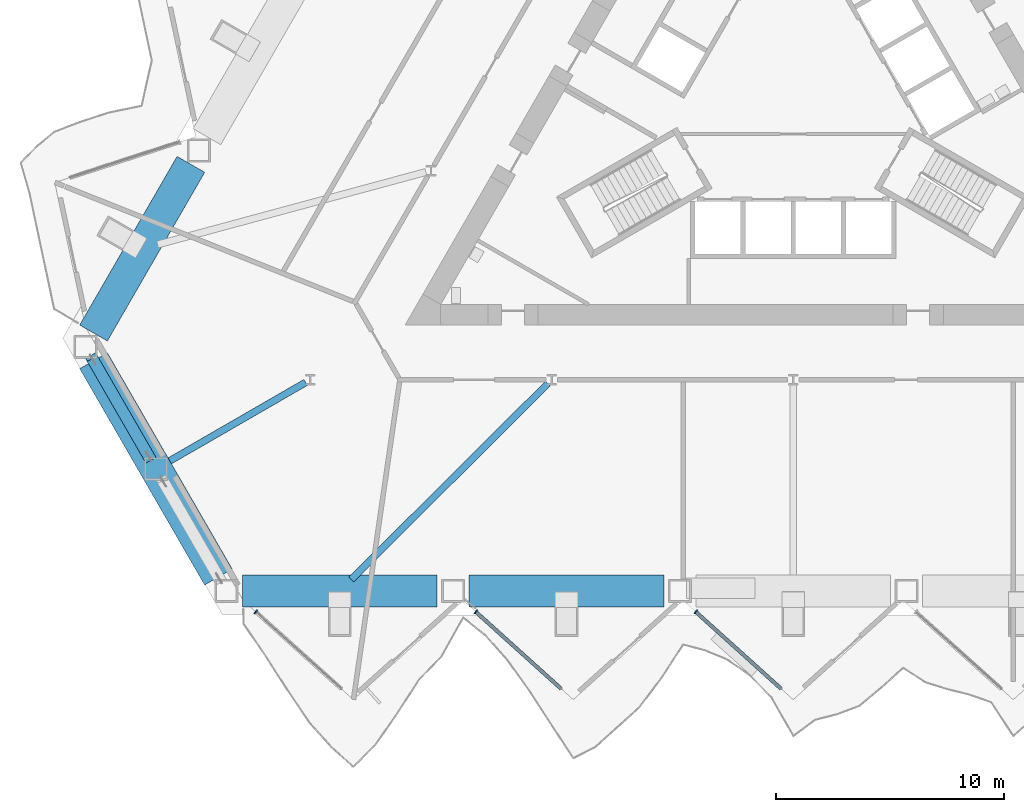
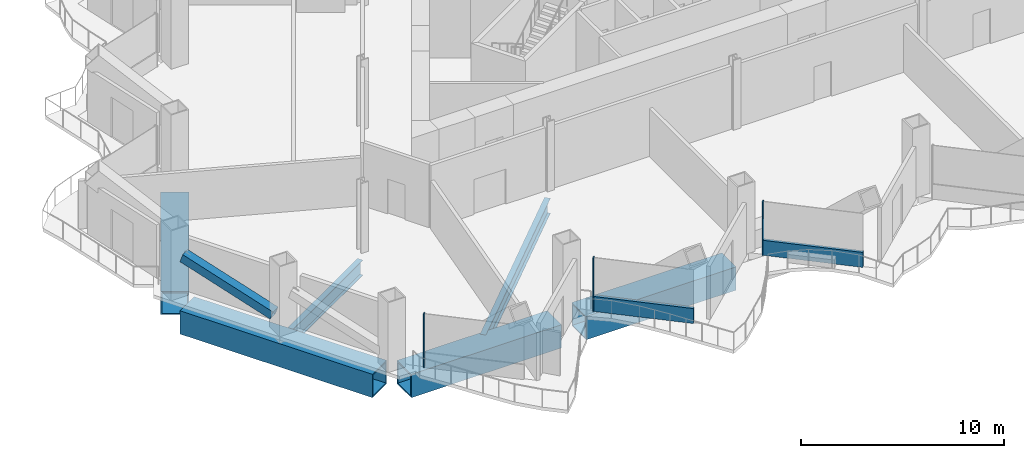
# One storey, part 2 of 22: 6 beams, 6 members, 3 elements without a shape of their own.
"""IFC4 building model written with IfcOpenShell, lengths in metres."""

from ifc_helpers import new_model, si_unit, direction, frame, origin, origin_2d, place, context, subcontext, project, spatial, rectangle, hollow_rectangle, i_section, extrude, material, layer, layer_set, material_profile, profile_set, type_object, element, aggregate, save


model = new_model("IFC4")

# Units and contexts
model_context = context("Model", 3, precision=1e-05, world=origin(), true_north=direction((0.0, 1.0)))
body_context = subcontext(model_context, "Body", "Model", "MODEL_VIEW")
ifc_project = project(units=[si_unit("LENGTHUNIT", "METRE"), si_unit("AREAUNIT", "SQUARE_METRE"), si_unit("VOLUMEUNIT", "CUBIC_METRE"), si_unit("PLANEANGLEUNIT", "RADIAN"), si_unit("MASSUNIT", "GRAM", prefix="KILO")], contexts=[model_context])

# Site, building, storey
site_placement = place(None, origin())
site = spatial("IfcSite", under=ifc_project, at=site_placement, CompositionType="ELEMENT")
building_placement = place(site_placement, origin())
building = spatial("IfcBuilding", under=site, at=building_placement, Name="Cormorant Prow Tower", CompositionType="ELEMENT")
storey_placement = place(building_placement, frame((0.0, 0.0, 30.0)))
storey = spatial("IfcBuildingStorey", under=building, at=storey_placement, Name="L05", CompositionType="ELEMENT", Elevation=30.0)

# Member
ifc_material_1 = material(Name="Structural steel ASTM A500 Gr C", Category="steel")
ifc_material_profile_1 = material_profile(ifc_material_1, hollow_rectangle(XDim=0.508056640625, YDim=0.508056640625, WallThickness=0.014892578125, at=origin_2d()), Name="HSS20x20x5/8")
ifc_profile_set_1 = profile_set([ifc_material_profile_1], Name="Structural steel ASTM A500 Gr C")
member_type_1 = type_object("IfcMemberType", Name="Chamfer brace HSS20x20x5/8", PredefinedType="BRACE", material=ifc_profile_set_1)
member_1_placement = place(storey_placement, frame((-28.174560546875, -15.667724609375, 0.767333984375), z_axis=(-0.475881936113, 0.824270433724, 0.306781086395), x_axis=(-0.866030326616, -0.499991473309, 0.0)))
element("IfcMember", 1, at=member_1_placement, inside=storey, type_object=member_type_1, Name="Chamfer brace BR1 at WSW00 L05", PredefinedType="BRACE", context=body_context, shape_type="SweptSolid", body=[
    extrude(hollow_rectangle(XDim=0.508056640625, YDim=0.508056640625, WallThickness=0.014892578125, at=origin_2d()), origin(), (0.0, 0.0, 1.0), 5.392333984375),
])

# Curtain wall, member
ifc_material_2 = material(Name="Aluminium 6063-T6", Category="aluminium")
ifc_layer = layer(ifc_material_2, 0.199951171875)
ifc_layer_set = layer_set([ifc_layer], Name="Aluminium 6063-T6")
curtain_wall_type = type_object("IfcCurtainWallType", Name="Office unitised curtain wall 200", PredefinedType="NOTDEFINED", material=ifc_layer_set)
curtain_wall_1_placement = place(storey_placement, origin())
curtain_wall_1 = element("IfcCurtainWall", 2, at=curtain_wall_1_placement, inside=storey, type_object=curtain_wall_type, Name="Office curtain wall S00", PredefinedType="NOTDEFINED")
ifc_material_3 = material(Name="Aluminium 6063-T6", Category="aluminium")
ifc_material_profile_2 = material_profile(ifc_material_3, rectangle(XDim=0.199951171875, YDim=0.06005859375, at=origin_2d()), Name="Office mullion 60x200")
ifc_profile_set_2 = profile_set([ifc_material_profile_2], Name="Aluminium 6063-T6")
member_type_2 = type_object("IfcMemberType", Name="Office mullion 60x200", PredefinedType="MULLION", material=ifc_profile_set_2)
member_2_placement = place(storey_placement, frame((-23.54296875, -22.379150390625, 0.0), z_axis=(0.0, 0.0, 1.0), x_axis=(0.669130597396, 0.743144833547, 0.0)))
member_2 = element("IfcMember", 3, at=member_2_placement, type_object=member_type_2, Name="Office mullion S00", PredefinedType="MULLION", context=body_context, shape_type="SweptSolid", body=[
    extrude(rectangle(XDim=0.199951171875, YDim=0.06005859375, at=origin_2d()), origin(), (0.0, 0.0, 1.0), 3.18896484375),
])
aggregate(curtain_wall_1, [member_2])

curtain_wall_2_placement = place(storey_placement, origin())
curtain_wall_2 = element("IfcCurtainWall", 4, at=curtain_wall_2_placement, inside=storey, type_object=curtain_wall_type, Name="Office curtain wall S02", PredefinedType="NOTDEFINED")
member_3_placement = place(storey_placement, frame((-13.907958984375, -22.379150390625, 0.0), z_axis=(0.0, 0.0, 1.0), x_axis=(0.66913052069, 0.743144902614, 0.0)))
member_3 = element("IfcMember", 5, at=member_3_placement, type_object=member_type_2, Name="Office mullion S02", PredefinedType="MULLION", context=body_context, shape_type="SweptSolid", body=[
    extrude(rectangle(XDim=0.199951171875, YDim=0.06005859375, at=origin_2d()), origin(), (0.0, 0.0, 1.0), 3.18896484375),
])

curtain_wall_3_placement = place(storey_placement, origin())
curtain_wall_3 = element("IfcCurtainWall", 6, at=curtain_wall_3_placement, inside=storey, type_object=curtain_wall_type, Name="Office curtain wall S04", PredefinedType="NOTDEFINED")
member_4_placement = place(storey_placement, frame((-4.27294921875, -22.379150390625, 0.0), z_axis=(0.0, 0.0, 1.0), x_axis=(0.669130597396, 0.743144833547, 0.0)))
member_4 = element("IfcMember", 7, at=member_4_placement, type_object=member_type_2, Name="Office mullion S04", PredefinedType="MULLION", context=body_context, shape_type="SweptSolid", body=[
    extrude(rectangle(XDim=0.199951171875, YDim=0.06005859375, at=origin_2d()), origin(), (0.0, 0.0, 1.0), 3.18896484375),
])

# Member
ifc_material_4 = material(Name="Terracotta", Category="masonry")
ifc_material_profile_3 = material_profile(ifc_material_4, rectangle(XDim=0.159912109375, YDim=0.89990234375, at=origin_2d()), Name="Office terracotta spandrel rail 160x900")
ifc_profile_set_3 = profile_set([ifc_material_profile_3], Name="Terracotta")
member_type_3 = type_object("IfcMemberType", Name="Office terracotta spandrel rail 160x900", PredefinedType="USERDEFINED", material=ifc_profile_set_3)
member_5_placement = place(storey_placement, frame((-13.8857421875, -22.399169921875, 0.449951171875), z_axis=(0.743146523264, -0.66912872077, 0.0), x_axis=(0.66912872077, 0.743146523264, 0.0)))
member_5 = element("IfcMember", 8, at=member_5_placement, type_object=member_type_3, Name="Office spandrel rail S02", ObjectType="TRANSOM", PredefinedType="USERDEFINED", context=body_context, shape_type="SweptSolid", body=[
    extrude(rectangle(XDim=0.159912109375, YDim=0.89990234375, at=origin_2d()), origin(), (0.0, 0.0, 1.0), 5.016845703125),
])

aggregate(curtain_wall_2, [member_3, member_5])

member_6_placement = place(storey_placement, frame((-4.25048828125, -22.399169921875, 0.449951171875), z_axis=(0.743124733633, -0.669152919938, 0.0), x_axis=(0.669152919938, 0.743124733633, 0.0)))
member_6 = element("IfcMember", 9, at=member_6_placement, type_object=member_type_3, Name="Office spandrel rail S04", ObjectType="TRANSOM", PredefinedType="USERDEFINED", context=body_context, shape_type="SweptSolid", body=[
    extrude(rectangle(XDim=0.159912109375, YDim=0.89990234375, at=origin_2d()), origin(), (0.0, 0.0, 1.0), 5.0166015625),
])

aggregate(curtain_wall_3, [member_4, member_6])

# Beams
ifc_material_5 = material(Name="Structural steel ASTM A992 Gr 50", Category="steel")
ifc_material_profile_4 = material_profile(ifc_material_5, i_section(OverallWidth=0.3046875, OverallDepth=0.914794921875, WebThickness=0.0166015625, FlangeThickness=0.02587890625, at=origin_2d()), Name="W36x160")
ifc_profile_set_4 = profile_set([ifc_material_profile_4], Name="Structural steel ASTM A992 Gr 50")
beam_type_1 = type_object("IfcBeamType", Name="Radial floor beam W36x160", PredefinedType="BEAM", material=ifc_profile_set_4)
beam_1_placement = place(storey_placement, frame((-21.358154296875, -12.3310546875, -0.857421875), z_axis=(-0.866015179631, -0.500017708335, 0.0), x_axis=(0.500017708335, -0.866015179631, 0.0)))
element("IfcBeam", 10, at=beam_1_placement, inside=storey, type_object=beam_type_1, Name="Radial floor beam FB1 5 L05", PredefinedType="BEAM", context=body_context, shape_type="SweptSolid", body=[
    extrude(i_section(OverallWidth=0.3046875, OverallDepth=0.914794921875, WebThickness=0.0166015625, FlangeThickness=0.02587890625, at=origin_2d()), origin(), (0.0, 0.0, 1.0), 6.871337890625),
])
beam_2_placement = place(storey_placement, frame((-10.7431640625, -12.37890625, -0.857421875), z_axis=(-0.708659678371, -0.705550466127, 0.0), x_axis=(0.705550466127, -0.708659678371, 0.0)))
element("IfcBeam", 11, at=beam_2_placement, inside=storey, type_object=beam_type_1, Name="Radial floor beam FB1 6 L05", PredefinedType="BEAM", context=body_context, shape_type="SweptSolid", body=[
    extrude(i_section(OverallWidth=0.3046875, OverallDepth=0.914794921875, WebThickness=0.0166015625, FlangeThickness=0.02587890625, at=origin_2d()), origin(), (0.0, 0.0, 1.0), 12.1708984375),
])
ifc_material_6 = material(Name="Structural steel ASTM A572 Gr 50", Category="steel")
ifc_material_profile_5 = material_profile(ifc_material_6, hollow_rectangle(XDim=1.39990234375, YDim=1.39990234375, WallThickness=0.080078125, at=origin_2d()), Name="Box 1400x1400x80")
ifc_profile_set_5 = profile_set([ifc_material_profile_5], Name="Structural steel ASTM A572 Gr 50")
beam_type_2 = type_object("IfcBeamType", Name="Transfer girder 1400x1400x80", PredefinedType="BEAM", material=ifc_profile_set_5)
for number, where, z_axis, x_axis, name in (
    (12, (-24.13037109375, -21.4599609375, -1.10009765625), (1.0, 0.0, 0.0), (0.0, 1.0, 0.0), "Transfer girder TG1 S00-S02 L05"),
    (13, (-14.1982421875, -21.4599609375, -1.10009765625), (1.0, 0.0, 0.0), (0.0, 1.0, 0.0), "Transfer girder TG1 S02-S04 L05"),
):
    element("IfcBeam", number, at=place(storey_placement, frame(where, z_axis=z_axis, x_axis=x_axis)), inside=storey, type_object=beam_type_2, Name=name, PredefinedType="BEAM", context=body_context, shape_type="SweptSolid", body=[
        extrude(hollow_rectangle(XDim=1.39990234375, YDim=1.39990234375, WallThickness=0.080078125, at=origin_2d()), origin(), (0.0, 0.0, 1.0), 8.5322265625),
    ])
beam_3_placement = place(storey_placement, frame((-26.384033203125, -2.778564453125, -1.10009765625), z_axis=(-0.499989142795, -0.866031672104, 0.0), x_axis=(0.866031672104, -0.499989142795, 0.0)))
element("IfcBeam", 14, at=beam_3_placement, inside=storey, type_object=beam_type_2, Name="Transfer girder TG1 WNW08-WSW00 L05", PredefinedType="BEAM", context=body_context, shape_type="SweptSolid", body=[
    extrude(hollow_rectangle(XDim=1.39990234375, YDim=1.39990234375, WallThickness=0.080078125, at=origin_2d()), origin(), (0.0, 0.0, 1.0), 8.531982421875),
])
beam_4_placement = place(storey_placement, frame((-30.64990234375, -11.3798828125, -1.10009765625), z_axis=(0.499981969543, -0.866035813423, 0.0), x_axis=(0.866035813423, 0.499981969543, 0.0)))
element("IfcBeam", 15, at=beam_4_placement, inside=storey, type_object=beam_type_2, Name="Transfer girder TG1 WSW00-S00 L05", PredefinedType="BEAM", context=body_context, shape_type="SweptSolid", body=[
    extrude(hollow_rectangle(XDim=1.39990234375, YDim=1.39990234375, WallThickness=0.080078125, at=origin_2d()), origin(), (0.0, 0.0, 1.0), 10.939453125),
])

save(model, "model.ifc")
